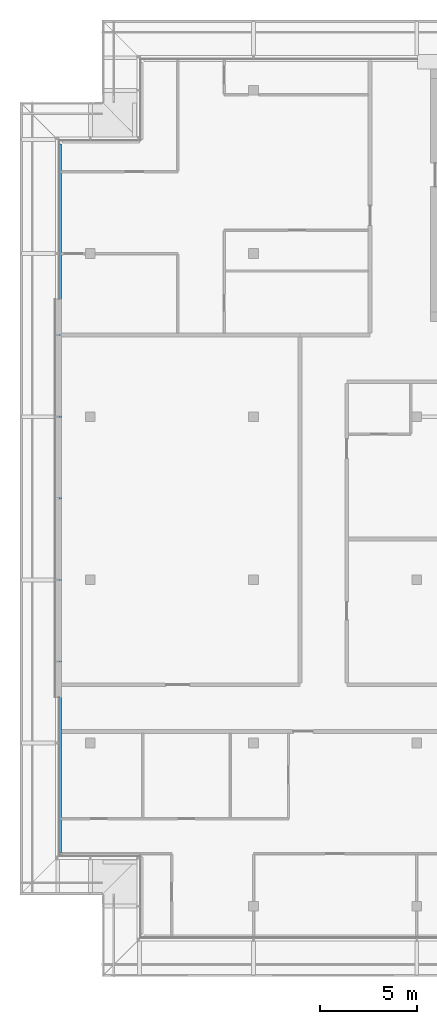
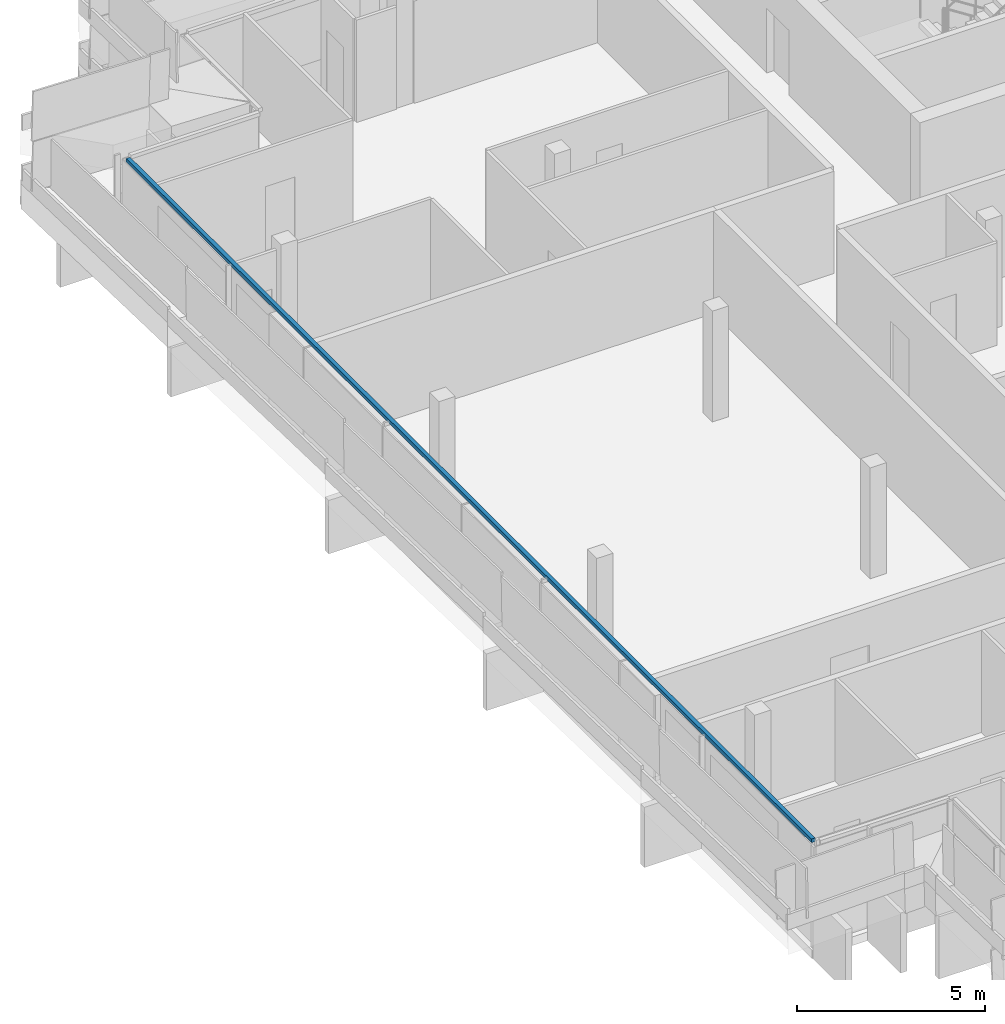
# One storey, part 3 of 33: 1 member, 1 element without a shape of its own.
"""IFC4 building model written with IfcOpenShell, lengths in metres."""

import ifcopenshell
import ifcopenshell.guid

model = None  # the IFC model being written
_history = None  # IfcOwnerHistory: only IFC2X3 demands one
_inside = {}  # id of a spatial element -> (the spatial element, [elements in it])
_under = {}  # id of a project, library or spatial element -> (it, [spatial elements below it])
_declared = {}  # id of a project -> (the project, [libraries it declares])
_typed = {}  # id of a type object -> (the type object, [elements of that type])
_made_of = {}  # id of a material, layer set ... -> (it, [elements and type objects made of it])


def new_model(schema):
    """Start an empty IFC model of exactly this schema.

    Asked for "IFC4X3", IfcOpenShell would pick the latest addendum, in which some entities
    have other attributes; the version numbers below select the first issue.
    IFC2X3 requires an IfcOwnerHistory on every rooted entity: one is made here for all.
    """
    global model, _history
    if schema == "IFC4X3":
        model = ifcopenshell.file(schema_version=(4, 3, 0, 0))
    else:
        model = ifcopenshell.file(schema=schema)
    _inside.clear()
    _under.clear()
    _declared.clear()
    _typed.clear()
    _made_of.clear()
    _history = None
    if model.schema == "IFC2X3":
        org = make("IfcOrganization", Name="unknown")
        user = make(
            "IfcPersonAndOrganization",
            ThePerson=make("IfcPerson", FamilyName="unknown"),
            TheOrganization=org,
        )
        app = make(
            "IfcApplication",
            ApplicationDeveloper=org,
            Version="unknown",
            ApplicationFullName="unknown",
            ApplicationIdentifier="unknown",
        )
        _history = make(
            "IfcOwnerHistory",
            OwningUser=user,
            OwningApplication=app,
            ChangeAction="ADDED",
            CreationDate=0,
        )
    return model


def make(cls, **values):
    """One entity of the class cls with the attributes given. An attribute that is None is left unset."""
    return model.create_entity(
        cls, **{name: value for name, value in values.items() if value is not None}
    )


def rooted(cls, **values):
    """An entity with a GlobalId (a new one), such as an element, a storey or a relation."""
    return make(cls, GlobalId=ifcopenshell.guid.new(), OwnerHistory=_history, **values)


def si_unit(unit_type, name, prefix=None):
    """IfcSIUnit, for example si_unit("LENGTHUNIT", "METRE", prefix="MILLI")."""
    return make("IfcSIUnit", UnitType=unit_type, Prefix=prefix, Name=name)


def assignment(units):
    """IfcUnitAssignment: the units of a project."""
    return None if units is None else make("IfcUnitAssignment", Units=units)


def point(xyz):
    """IfcCartesianPoint."""
    return None if xyz is None else make("IfcCartesianPoint", Coordinates=xyz)


def direction(xyz):
    """IfcDirection."""
    return None if xyz is None else make("IfcDirection", DirectionRatios=xyz)


def frame(location, z_axis=None, x_axis=None):
    """IfcAxis2Placement3D, a coordinate frame: its origin and axes. An axis left out is left unset."""
    return make(
        "IfcAxis2Placement3D",
        Location=point(location),
        Axis=direction(z_axis),
        RefDirection=direction(x_axis),
    )


def frame_2d(location, x_axis=None):
    """IfcAxis2Placement2D, a coordinate frame in the plane: its origin and x axis."""
    return make(
        "IfcAxis2Placement2D", Location=point(location), RefDirection=direction(x_axis)
    )


def origin():
    """The frame at (0, 0, 0) with its axes left unset."""
    return frame((0.0, 0.0, 0.0))


def origin_2d():
    """The frame at (0, 0) in the plane with its x axis left unset."""
    return frame_2d((0.0, 0.0))


def place(relative_to, where):
    """IfcLocalPlacement: puts the frame where relative to a parent placement (None: the world)."""
    return make(
        "IfcLocalPlacement", PlacementRelTo=relative_to, RelativePlacement=where
    )


def context(
    kind, dimensions, precision=None, world=None, true_north=None, identifier=None
):
    """IfcGeometricRepresentationContext, for example the 3D "Model" context."""
    return make(
        "IfcGeometricRepresentationContext",
        ContextIdentifier=identifier,
        ContextType=kind,
        CoordinateSpaceDimension=dimensions,
        Precision=precision,
        WorldCoordinateSystem=world,
        TrueNorth=true_north,
    )


def subcontext(parent, identifier, kind, view, scale=None):
    """IfcGeometricRepresentationSubContext, for example "Body" below "Model"."""
    return make(
        "IfcGeometricRepresentationSubContext",
        ContextIdentifier=identifier,
        ContextType=kind,
        ParentContext=parent,
        TargetScale=scale,
        TargetView=view,
    )


def project(units=None, contexts=None):
    """IfcProject with its units and contexts."""
    return rooted(
        "IfcProject",
        Name="project",
        RepresentationContexts=contexts,
        UnitsInContext=assignment(units),
    )


def spatial(cls, under=None, at=None, **own):
    """A site, building, storey or space (cls), placed at a placement, below another one or the project."""
    s = rooted(cls, ObjectPlacement=at, **own)
    if under is not None:
        _under.setdefault(under.id(), (under, []))[1].append(s)
    return s


def profile(cls, at=None, kind="AREA", **sizes):
    """A parametric profile (cls). Its sizes go by their IFC names, for example OverallWidth=200.0."""
    return make(cls, ProfileType=kind, Position=at, **sizes)


def rectangle(**sizes):
    """IfcRectangleProfileDef."""
    return profile("IfcRectangleProfileDef", **sizes)


def extrude(swept, where, along, depth):
    """IfcExtrudedAreaSolid: the profile swept, set in the frame where, extruded along a direction by depth."""
    return make(
        "IfcExtrudedAreaSolid",
        SweptArea=swept,
        Position=where,
        ExtrudedDirection=direction(along),
        Depth=depth,
    )


def shape(context_of_items, identifier, shape_type, items):
    """IfcShapeRepresentation: the items that make up one representation, for example the "Body"."""
    return make(
        "IfcShapeRepresentation",
        ContextOfItems=context_of_items,
        RepresentationIdentifier=identifier,
        RepresentationType=shape_type,
        Items=items,
    )


def material(Name=None, Category=None):
    """IfcMaterial."""
    return make("IfcMaterial", Name=Name, Category=Category)


def material_profile(
    of_material, cross_section, Name=None, Category=None, Priority=None
):
    """IfcMaterialProfile: a cross section and its material."""
    return make(
        "IfcMaterialProfile",
        Name=Name,
        Material=of_material,
        Profile=cross_section,
        Priority=Priority,
        Category=Category,
    )


def profile_set(profiles, Name=None, composite=None):
    """IfcMaterialProfileSet."""
    return make(
        "IfcMaterialProfileSet",
        Name=Name,
        MaterialProfiles=profiles,
        CompositeProfile=composite,
    )


def made_of(thing, what):
    """Note that an element or type object is made of a material, layer set ...; save() writes the relation."""
    if what is not None:
        _made_of.setdefault(what.id(), (what, []))[1].append(thing)
    return thing


def type_object(cls, material=None, **own):
    """A type object (cls), such as IfcWallType, which elements share."""
    return made_of(rooted(cls, **own), material)


def element(
    cls,
    number,
    at=None,
    inside=None,
    cuts=None,
    type_object=None,
    material=None,
    context=None,
    identifier="Body",
    shape_type=None,
    held_by="IfcProductDefinitionShape",
    body=None,
    shapes=None,
    **own,
):
    """One element of the class cls, such as IfcWall. Its Tag is "e" and its number.

    at: its placement. inside: the storey or other place that contains it. cuts: it is an
    opening in that element (IfcRelVoidsElement). A single representation is given by context,
    identifier, shape_type and body (its items); several are given by shapes. held_by: the class
    of the entity that holds the representations. save() writes the other relations.
    """
    e = rooted(cls, Tag="e%d" % number, ObjectPlacement=at, **own)
    if body is not None:
        shapes = [shape(context, identifier, shape_type, body)]
    if shapes is not None:
        e.Representation = make(held_by, Representations=shapes)
    if inside is not None:
        _inside.setdefault(inside.id(), (inside, []))[1].append(e)
    if cuts is not None:
        rooted(
            "IfcRelVoidsElement", RelatingBuildingElement=cuts, RelatedOpeningElement=e
        )
    if type_object is not None:
        _typed.setdefault(type_object.id(), (type_object, []))[1].append(e)
    return made_of(e, material)


def aggregate(whole, parts):
    """IfcRelAggregates: a whole, such as a stair, and the parts it consists of."""
    return rooted("IfcRelAggregates", RelatingObject=whole, RelatedObjects=parts)


def save(model, path):
    """Write the relations noted so far, then the file.

    IfcRelAggregates (storeys below a building ...), IfcRelContainedInSpatialStructure (elements
    in a storey), IfcRelDefinesByType, IfcRelAssociatesMaterial and IfcRelDeclares: one each for
    every whole, place, type object, material and project.
    """
    for whole, parts in _under.values():
        aggregate(whole, parts)
    for where, things in _inside.values():
        rooted(
            "IfcRelContainedInSpatialStructure",
            RelatedElements=things,
            RelatingStructure=where,
        )
    for kind, things in _typed.values():
        rooted("IfcRelDefinesByType", RelatedObjects=things, RelatingType=kind)
    for what, things in _made_of.values():
        rooted("IfcRelAssociatesMaterial", RelatedObjects=things, RelatingMaterial=what)
    for by, libraries in _declared.values():
        rooted("IfcRelDeclares", RelatingContext=by, RelatedDefinitions=libraries)
    model.write(path)


model = new_model("IFC4")

# Units and contexts
model_context = context("Model", 3, precision=1e-05, world=origin(), true_north=direction((0.0, 1.0)))
body_context = subcontext(model_context, "Body", "Model", "MODEL_VIEW")
ifc_project = project(units=[si_unit("LENGTHUNIT", "METRE"), si_unit("AREAUNIT", "SQUARE_METRE"), si_unit("VOLUMEUNIT", "CUBIC_METRE"), si_unit("PLANEANGLEUNIT", "RADIAN"), si_unit("MASSUNIT", "GRAM", prefix="KILO")], contexts=[model_context])

# Site, building, storey
site_placement = place(None, origin())
site = spatial("IfcSite", under=ifc_project, at=site_placement, CompositionType="ELEMENT")
building_placement = place(site_placement, origin())
building = spatial("IfcBuilding", under=site, at=building_placement, Name="Saffron Gate Tower", CompositionType="ELEMENT")
storey_placement = place(building_placement, frame((0.0, 0.0, 263.550048828125)))
storey = spatial("IfcBuildingStorey", under=building, at=storey_placement, Name="L63", CompositionType="ELEMENT", Elevation=263.550048828125)

# Curtain wall, member
ifc_material = material(Name="Aluminium, bronze anodised", Category="aluminium")
curtain_wall_type = type_object("IfcCurtainWallType", Name="CWS2 curtain wall side facades", PredefinedType="NOTDEFINED", material=ifc_material)
curtain_wall_placement = place(storey_placement, origin())
curtain_wall = element("IfcCurtainWall", 1, at=curtain_wall_placement, inside=storey, type_object=curtain_wall_type, Name="CWS2 run 10", PredefinedType="NOTDEFINED")
ifc_material_profile = material_profile(ifc_material, rectangle(XDim=0.1201171875, YDim=0.1201171875, at=origin_2d()))
ifc_profile_set = profile_set([ifc_material_profile], Name="Aluminium, bronze anodised")
member_type = type_object("IfcMemberType", Name="CWS2 head transom", PredefinedType="USERDEFINED", material=ifc_profile_set)
member_placement = place(storey_placement, frame((48.248046875, 71.031982421875, 3.260009765625), z_axis=(0.0, -1.0, 0.0), x_axis=(1.0, 0.0, 0.0)))
member = element("IfcMember", 2, at=member_placement, type_object=member_type, Name="CWS2 head transom", ObjectType="TRANSOM", PredefinedType="USERDEFINED", context=body_context, shape_type="SweptSolid", body=[
    extrude(rectangle(XDim=0.1201171875, YDim=0.1201171875, at=origin_2d()), origin(), (0.0, 0.0, 1.0), 36.4638671875),
])
aggregate(curtain_wall, [member])

save(model, "model.ifc")
